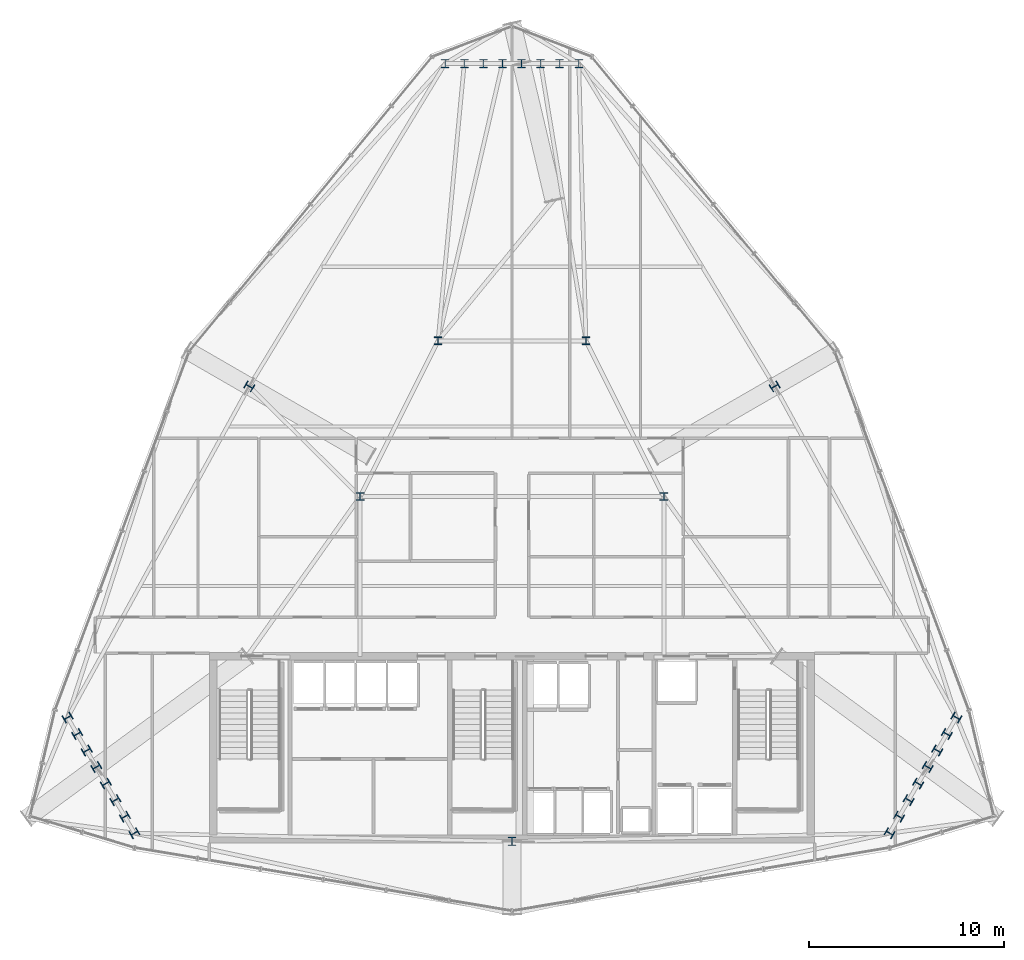
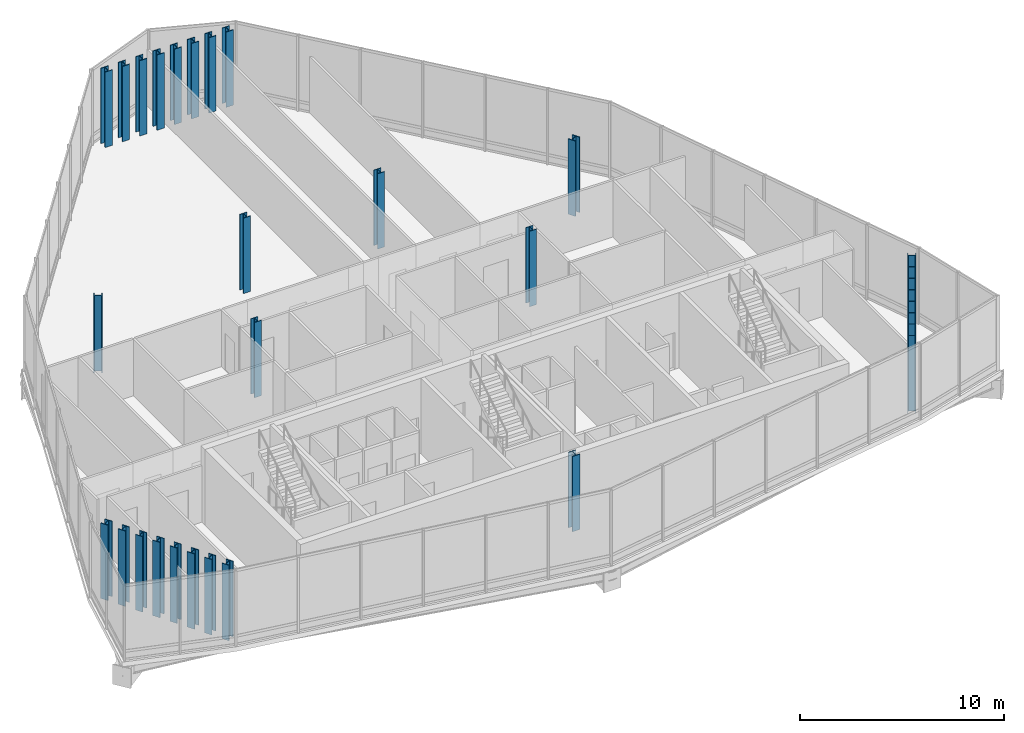
# One storey, part 1 of 29: 31 columns.
"""IFC4 building model written with IfcOpenShell, lengths in metres."""

from ifc_helpers import new_model, si_unit, direction, frame, origin, origin_2d, place, context, subcontext, project, spatial, i_section, extrude, material, material_profile, profile_set, type_object, element, save


model = new_model("IFC4")

# Units and contexts
model_context = context("Model", 3, precision=1e-05, world=origin(), true_north=direction((0.0, 1.0)))
body_context = subcontext(model_context, "Body", "Model", "MODEL_VIEW")
ifc_project = project(units=[si_unit("LENGTHUNIT", "METRE"), si_unit("AREAUNIT", "SQUARE_METRE"), si_unit("VOLUMEUNIT", "CUBIC_METRE"), si_unit("PLANEANGLEUNIT", "RADIAN"), si_unit("MASSUNIT", "GRAM", prefix="KILO")], contexts=[model_context])

# Site, building, storey
site_placement = place(None, origin())
site = spatial("IfcSite", under=ifc_project, at=site_placement, CompositionType="ELEMENT")
building_placement = place(site_placement, origin())
building = spatial("IfcBuilding", under=site, at=building_placement, Name="Ndaravel Arena Tower", CompositionType="ELEMENT")
storey_placement = place(building_placement, frame((0.0, 0.0, 208.39990234375)))
storey = spatial("IfcBuildingStorey", under=building, at=storey_placement, Name="L50", CompositionType="ELEMENT", Elevation=208.39990234375)

# Columns
ifc_material_1 = material(Name="Steel S355", Category="steel")
ifc_material_profile_1 = material_profile(ifc_material_1, i_section(OverallWidth=0.39892578125, OverallDepth=0.3935546875, WebThickness=0.022705078125, FlangeThickness=0.03662109375, FilletRadius=0.01513671875, at=origin_2d()), Name="UC 356x406x287")
ifc_profile_set_1 = profile_set([ifc_material_profile_1], Name="Steel S355")
column_type_1 = type_object("IfcColumnType", Name="COL-INT-UC287", PredefinedType="COLUMN", material=ifc_profile_set_1)
for number, where, z_axis, x_axis, name in (
    (1, (34.199951171875, 23.199951171875, 0.0), (0.0, 0.0, 1.0), (1.0, 0.0, 0.0), "L50 Interior Spine Column IC-01"),
    (2, (49.800048828125, 23.199951171875, 0.0), (0.0, 0.0, 1.0), (1.0, 0.0, 0.0), "L50 Interior Spine Column IC-02"),
    (3, (38.199951171875, 31.199951171875, 0.0), (0.0, 0.0, 1.0), (1.0, 0.0, 0.0), "L50 Interior Spine Column IC-03"),
    (4, (45.800048828125, 31.199951171875, 0.0), (0.0, 0.0, 1.0), (1.0, 0.0, 0.0), "L50 Interior Spine Column IC-04"),
):
    element("IfcColumn", number, at=place(storey_placement, frame(where, z_axis=z_axis, x_axis=x_axis)), inside=storey, type_object=column_type_1, Name=name, PredefinedType="COLUMN", context=body_context, shape_type="SweptSolid", body=[
        extrude(i_section(OverallWidth=0.39892578125, OverallDepth=0.3935546875, WebThickness=0.022705078125, FlangeThickness=0.03662109375, FilletRadius=0.01513671875, at=origin_2d()), origin(), (0.0, 0.0, 1.0), 4.52001953125),
    ])
ifc_material_2 = material(Name="Steel S355", Category="steel")
ifc_material_profile_2 = material_profile(ifc_material_2, i_section(OverallWidth=0.412109375, OverallDepth=0.43505859375, WebThickness=0.035888671875, FlangeThickness=0.0439453125, FilletRadius=0.014892578125, at=origin_2d()), Name="HD 400x463")
ifc_profile_set_2 = profile_set([ifc_material_profile_2], Name="Steel S355")
column_type_2 = type_object("IfcColumnType", Name="COL-TUBE-HD463", PredefinedType="COLUMN", material=ifc_profile_set_2)
for number, where, z_axis, x_axis, name in (
    (5, (42.0, 5.47998046875, 0.0), (0.0, 0.0, 1.0), (1.0, 0.0, 0.0), "L50 Framed Tube Column TC-01"),
    (6, (61.397216796875, 5.904541015625, 0.0), (0.0, 0.0, 1.0), (0.5, 0.866025403784, 0.0), "L50 Framed Tube Column TC-02"),
    (7, (61.88720703125, 6.753662109375, 0.0), (0.0, 0.0, 1.0), (0.5, 0.866025403784, 0.0), "L50 Framed Tube Column TC-03"),
    (8, (62.37744140625, 7.602783203125, 0.0), (0.0, 0.0, 1.0), (0.5, 0.866025403784, 0.0), "L50 Framed Tube Column TC-04"),
    (9, (62.86767578125, 8.451904296875, 0.0), (0.0, 0.0, 1.0), (0.5, 0.866025403784, 0.0), "L50 Framed Tube Column TC-05"),
    (10, (63.35791015625, 9.30078125, 0.0), (0.0, 0.0, 1.0), (0.5, 0.866025403784, 0.0), "L50 Framed Tube Column TC-06"),
    (11, (63.84814453125, 10.14990234375, 0.0), (0.0, 0.0, 1.0), (0.5, 0.866025403784, 0.0), "L50 Framed Tube Column TC-07"),
    (12, (64.33837890625, 10.9990234375, 0.0), (0.0, 0.0, 1.0), (0.5, 0.866025403784, 0.0), "L50 Framed Tube Column TC-08"),
    (13, (64.82861328125, 11.84814453125, 0.0), (0.0, 0.0, 1.0), (0.5, 0.866025403784, 0.0), "L50 Framed Tube Column TC-09"),
    (14, (55.497802734375, 28.858642578125, 0.0), (0.0, 0.0, 1.0), (-0.5, 0.866025403784, 0.0), "L50 Framed Tube Column TC-10"),
    (15, (45.431396484375, 45.44482421875, 0.0), (0.0, 0.0, 1.0), (1.0, 0.0, 0.0), "L50 Framed Tube Column TC-11"),
    (16, (44.451171875, 45.44482421875, 0.0), (0.0, 0.0, 1.0), (1.0, 0.0, 0.0), "L50 Framed Tube Column TC-12"),
    (17, (43.470703125, 45.44482421875, 0.0), (0.0, 0.0, 1.0), (1.0, 0.0, 0.0), "L50 Framed Tube Column TC-13"),
    (18, (42.490234375, 45.44482421875, 0.0), (0.0, 0.0, 1.0), (1.0, 0.0, 0.0), "L50 Framed Tube Column TC-14"),
    (19, (41.509765625, 45.44482421875, 0.0), (0.0, 0.0, 1.0), (1.0, 0.0, 0.0), "L50 Framed Tube Column TC-15"),
    (20, (40.529296875, 45.44482421875, 0.0), (0.0, 0.0, 1.0), (1.0, 0.0, 0.0), "L50 Framed Tube Column TC-16"),
    (21, (39.548828125, 45.44482421875, 0.0), (0.0, 0.0, 1.0), (1.0, 0.0, 0.0), "L50 Framed Tube Column TC-17"),
    (22, (38.568603515625, 45.44482421875, 0.0), (0.0, 0.0, 1.0), (1.0, 0.0, 0.0), "L50 Framed Tube Column TC-18"),
    (23, (28.502197265625, 28.858642578125, 0.0), (0.0, 0.0, 1.0), (0.5, 0.866025403784, 0.0), "L50 Framed Tube Column TC-19"),
    (24, (19.17138671875, 11.84814453125, 0.0), (0.0, 0.0, 1.0), (-0.5, 0.866025403784, 0.0), "L50 Framed Tube Column TC-20"),
    (25, (19.66162109375, 10.9990234375, 0.0), (0.0, 0.0, 1.0), (-0.5, 0.866025403784, 0.0), "L50 Framed Tube Column TC-21"),
    (26, (20.15185546875, 10.14990234375, 0.0), (0.0, 0.0, 1.0), (-0.5, 0.866025403784, 0.0), "L50 Framed Tube Column TC-22"),
    (27, (20.64208984375, 9.30078125, 0.0), (0.0, 0.0, 1.0), (-0.5, 0.866025403784, 0.0), "L50 Framed Tube Column TC-23"),
    (28, (21.13232421875, 8.451904296875, 0.0), (0.0, 0.0, 1.0), (-0.5, 0.866025403784, 0.0), "L50 Framed Tube Column TC-24"),
    (29, (21.62255859375, 7.602783203125, 0.0), (0.0, 0.0, 1.0), (-0.5, 0.866025403784, 0.0), "L50 Framed Tube Column TC-25"),
    (30, (22.11279296875, 6.753662109375, 0.0), (0.0, 0.0, 1.0), (-0.5, 0.866025403784, 0.0), "L50 Framed Tube Column TC-26"),
    (31, (22.602783203125, 5.904541015625, 0.0), (0.0, 0.0, 1.0), (-0.5, 0.866025403784, 0.0), "L50 Framed Tube Column TC-27"),
):
    element("IfcColumn", number, at=place(storey_placement, frame(where, z_axis=z_axis, x_axis=x_axis)), inside=storey, type_object=column_type_2, Name=name, PredefinedType="COLUMN", context=body_context, shape_type="SweptSolid", body=[
        extrude(i_section(OverallWidth=0.412109375, OverallDepth=0.43505859375, WebThickness=0.035888671875, FlangeThickness=0.0439453125, FilletRadius=0.014892578125, at=origin_2d()), origin(), (0.0, 0.0, 1.0), 4.52001953125),
    ])

save(model, "model.ifc")
